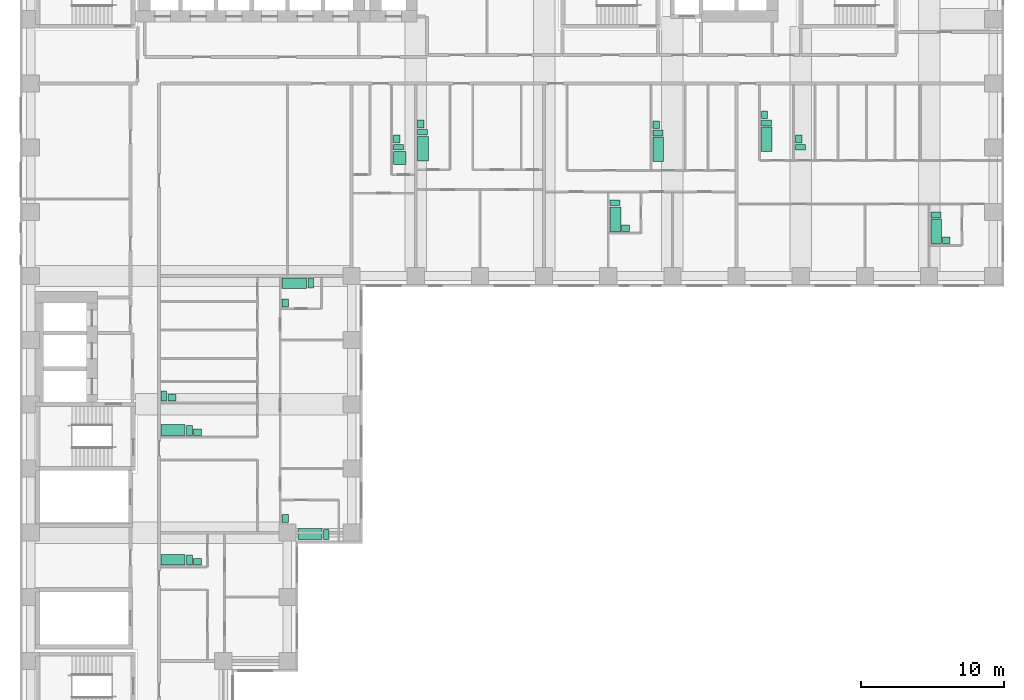
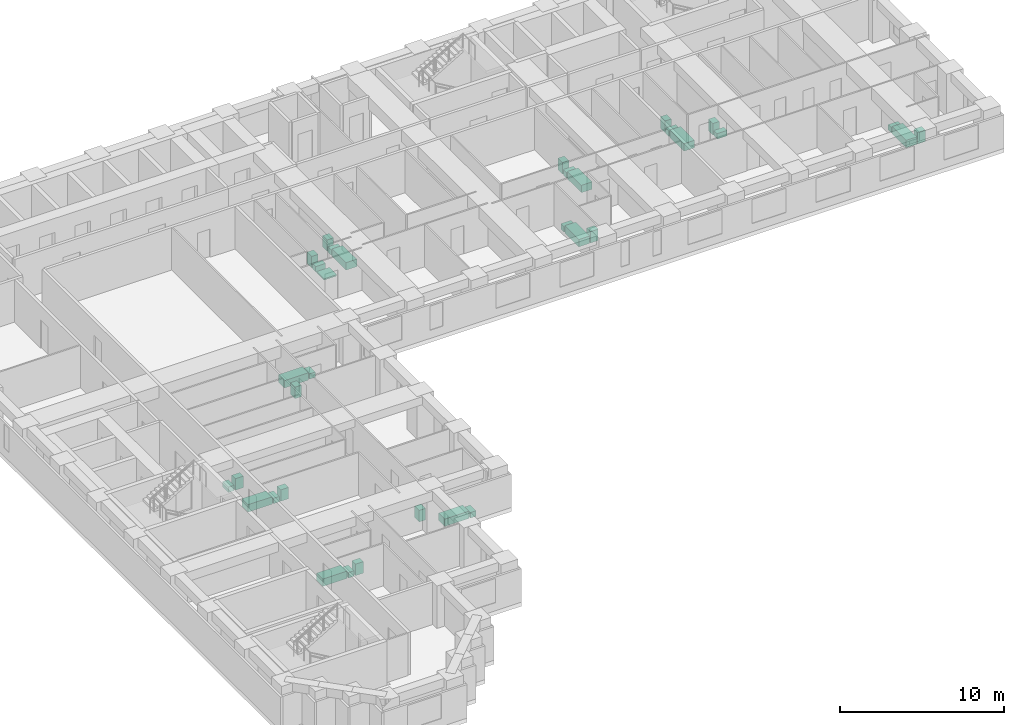
# One storey, part 13 of 13: 34 sanitary terminals.
"""IFC4 building model written with IfcOpenShell, lengths in metres."""

from ifc_helpers import new_model, si_unit, direction, frame, origin, origin_2d, place, context, subcontext, project, spatial, rectangle, extrude, material, type_object, element, save


model = new_model("IFC4")

# Units and contexts
model_context = context("Model", 3, precision=1e-05, world=origin(), true_north=direction((0.0, 1.0)))
body_context = subcontext(model_context, "Body", "Model", "MODEL_VIEW")
ifc_project = project(units=[si_unit("LENGTHUNIT", "METRE"), si_unit("AREAUNIT", "SQUARE_METRE"), si_unit("VOLUMEUNIT", "CUBIC_METRE"), si_unit("PLANEANGLEUNIT", "RADIAN"), si_unit("MASSUNIT", "GRAM", prefix="KILO")], contexts=[model_context])

# Site, building, storey
site_placement = place(None, origin())
site = spatial("IfcSite", under=ifc_project, at=site_placement, CompositionType="ELEMENT")
building_placement = place(site_placement, origin())
building = spatial("IfcBuilding", under=site, at=building_placement, Name="Firuza Court", CompositionType="ELEMENT")
storey_placement = place(building_placement, frame((0.0, 0.0, 104.60009765625)))
storey = spatial("IfcBuildingStorey", under=building, at=storey_placement, Name="L26", CompositionType="ELEMENT", Elevation=104.60009765625)

# Sanitary terminals
ifc_material_1 = material(Name="Vitreous china", Category="ceramic")
sanitary_terminal_type_1 = type_object("IfcSanitaryTerminalType", Name="Fixture Bath", PredefinedType="BATH", material=ifc_material_1)
for number, where, z_axis, x_axis, name in (
    (1, (27.5048828125, 44.929931640625, 0.0), (0.0, 0.0, 1.0), (1.0, 0.0, 0.0), "Bath"),
    (2, (44.0048828125, 44.8798828125, 0.0), (0.0, 0.0, 1.0), (1.0, 0.0, 0.0), "Bath"),
    (3, (41.0048828125, 39.97998046875, 0.0), (0.0, 0.0, 1.0), (1.0, 0.0, 0.0), "Bath"),
    (4, (51.60498046875, 45.580078125, 0.0), (0.0, 0.0, 1.0), (1.0, 0.0, 0.0), "Bath"),
    (5, (63.5048828125, 39.1298828125, 0.0), (0.0, 0.0, 1.0), (1.0, 0.0, 0.0), "Bath"),
):
    element("IfcSanitaryTerminal", number, at=place(storey_placement, frame(where, z_axis=z_axis, x_axis=x_axis)), inside=storey, type_object=sanitary_terminal_type_1, Name=name, PredefinedType="BATH", context=body_context, shape_type="SweptSolid", body=[
        extrude(rectangle(XDim=0.75, YDim=1.699951171875, at=origin_2d()), origin(), (0.0, 0.0, 1.0), 0.550048828125),
    ])
for number, where, z_axis, x_axis, name in (
    (6, (9.97998046875, 25.205078125, 0.0), (0.0, 0.0, 1.0), (1.0, 0.0, 0.0), "Bath"),
    (7, (19.580078125, 17.905029296875, 0.0), (0.0, 0.0, 1.0), (1.0, 0.0, 0.0), "Bath"),
    (8, (18.47998046875, 35.4951171875, 0.0), (0.0, 0.0, 1.0), (1.0, 0.0, 0.0), "Bath"),
    (9, (9.97998046875, 16.10498046875, 0.0), (0.0, 0.0, 1.0), (1.0, 0.0, 0.0), "Bath"),
):
    element("IfcSanitaryTerminal", number, at=place(storey_placement, frame(where, z_axis=z_axis, x_axis=x_axis)), inside=storey, type_object=sanitary_terminal_type_1, Name=name, PredefinedType="BATH", context=body_context, shape_type="SweptSolid", body=[
        extrude(rectangle(XDim=1.699951171875, YDim=0.75, at=origin_2d()), origin(), (0.0, 0.0, 1.0), 0.550048828125),
    ])
ifc_material_2 = material(Name="Vitreous china", Category="ceramic")
sanitary_terminal_type_2 = type_object("IfcSanitaryTerminalType", Name="Fixture Shower tray", PredefinedType="SHOWER", material=ifc_material_2)
sanitary_terminal_1_placement = place(storey_placement, frame((25.8798828125, 44.280029296875, -0.000244140625), z_axis=(0.0, 0.0, 1.0), x_axis=(1.0, 0.0, 0.0)))
element("IfcSanitaryTerminal", 10, at=sanitary_terminal_1_placement, inside=storey, type_object=sanitary_terminal_type_2, Name="Shower tray", PredefinedType="SHOWER", context=body_context, shape_type="SweptSolid", body=[
    extrude(rectangle(XDim=0.89990234375, YDim=0.89990234375, at=origin_2d()), origin(), (0.0, 0.0, 1.0), 0.10009765625),
])
ifc_material_3 = material(Name="Vitreous china", Category="ceramic")
sanitary_terminal_type_3 = type_object("IfcSanitaryTerminalType", Name="Fixture WC pan", PredefinedType="TOILETPAN", material=ifc_material_3)
for number, where, z_axis, x_axis, name in (
    (11, (25.780029296875, 45.030029296875, 0.0), (0.0, 0.0, 1.0), (1.0, 0.0, 0.0), "WC pan"),
    (12, (27.47998046875, 46.080078125, 0.0), (0.0, 0.0, 1.0), (1.0, 0.0, 0.0), "WC pan"),
    (13, (43.97998046875, 46.030029296875, 0.0), (0.0, 0.0, 1.0), (1.0, 0.0, 0.0), "WC pan"),
    (14, (40.97998046875, 41.1298828125, 0.0), (0.0, 0.0, 1.0), (1.0, 0.0, 0.0), "WC pan"),
    (15, (51.580078125, 46.72998046875, 0.0), (0.0, 0.0, 1.0), (1.0, 0.0, 0.0), "WC pan"),
    (16, (53.97998046875, 45.030029296875, 0.0), (0.0, 0.0, 1.0), (1.0, 0.0, 0.0), "WC pan"),
    (17, (63.47998046875, 40.280029296875, 0.0), (0.0, 0.0, 1.0), (1.0, 0.0, 0.0), "WC pan"),
):
    element("IfcSanitaryTerminal", number, at=place(storey_placement, frame(where, z_axis=z_axis, x_axis=x_axis)), inside=storey, type_object=sanitary_terminal_type_3, Name=name, PredefinedType="TOILETPAN", context=body_context, shape_type="SweptSolid", body=[
        extrude(rectangle(XDim=0.699951171875, YDim=0.39990234375, at=origin_2d()), origin(), (0.0, 0.0, 1.0), 0.39990234375),
    ])
for number, where, z_axis, x_axis, name in (
    (18, (11.1298828125, 25.179931640625, 0.0), (0.0, 0.0, 1.0), (1.0, 0.0, 0.0), "WC pan"),
    (19, (9.330078125, 27.580078125, 0.0), (0.0, 0.0, 1.0), (1.0, 0.0, 0.0), "WC pan"),
    (20, (20.72998046875, 17.8798828125, 0.0), (0.0, 0.0, 1.0), (1.0, 0.0, 0.0), "WC pan"),
    (21, (19.6298828125, 35.52001953125, 0.0), (0.0, 0.0, 1.0), (1.0, 0.0, 0.0), "WC pan"),
    (22, (11.1298828125, 16.080078125, 0.0), (0.0, 0.0, 1.0), (1.0, 0.0, 0.0), "WC pan"),
):
    element("IfcSanitaryTerminal", number, at=place(storey_placement, frame(where, z_axis=z_axis, x_axis=x_axis)), inside=storey, type_object=sanitary_terminal_type_3, Name=name, PredefinedType="TOILETPAN", context=body_context, shape_type="SweptSolid", body=[
        extrude(rectangle(XDim=0.39990234375, YDim=0.699951171875, at=origin_2d()), origin(), (0.0, 0.0, 1.0), 0.39990234375),
    ])
ifc_material_4 = material(Name="Vitreous china", Category="ceramic")
sanitary_terminal_type_4 = type_object("IfcSanitaryTerminalType", Name="Fixture Washbasin", PredefinedType="WASHHANDBASIN", material=ifc_material_4)
for number, where, z_axis, x_axis, name in (
    (23, (25.655029296875, 45.60498046875, -0.000244140625), (0.0, 0.0, 1.0), (1.0, 0.0, 0.0), "Washbasin"),
    (24, (27.35498046875, 46.655029296875, -0.000244140625), (0.0, 0.0, 1.0), (1.0, 0.0, 0.0), "Washbasin"),
    (25, (43.85498046875, 46.60498046875, -0.000244140625), (0.0, 0.0, 1.0), (1.0, 0.0, 0.0), "Washbasin"),
):
    element("IfcSanitaryTerminal", number, at=place(storey_placement, frame(where, z_axis=z_axis, x_axis=x_axis)), inside=storey, type_object=sanitary_terminal_type_4, Name=name, PredefinedType="WASHHANDBASIN", context=body_context, shape_type="SweptSolid", body=[
        extrude(rectangle(XDim=0.449951171875, YDim=0.550048828125, at=origin_2d()), origin(), (0.0, 0.0, 1.0), 0.85009765625),
    ])
sanitary_terminal_2_placement = place(storey_placement, frame((41.705078125, 39.35498046875, -0.000244140625), z_axis=(0.0, 0.0, 1.0), x_axis=(1.0, 0.0, 0.0)))
element("IfcSanitaryTerminal", 26, at=sanitary_terminal_2_placement, inside=storey, type_object=sanitary_terminal_type_4, Name="Washbasin", PredefinedType="WASHHANDBASIN", context=body_context, shape_type="SweptSolid", body=[
    extrude(rectangle(XDim=0.550048828125, YDim=0.449951171875, at=origin_2d()), origin(), (0.0, 0.0, 1.0), 0.85009765625),
])
for number, where, z_axis, x_axis, name in (
    (27, (51.455078125, 47.304931640625, -0.000244140625), (0.0, 0.0, 1.0), (1.0, 0.0, 0.0), "Washbasin"),
    (28, (53.85498046875, 45.60498046875, -0.000244140625), (0.0, 0.0, 1.0), (1.0, 0.0, 0.0), "Washbasin"),
):
    element("IfcSanitaryTerminal", number, at=place(storey_placement, frame(where, z_axis=z_axis, x_axis=x_axis)), inside=storey, type_object=sanitary_terminal_type_4, Name=name, PredefinedType="WASHHANDBASIN", context=body_context, shape_type="SweptSolid", body=[
        extrude(rectangle(XDim=0.449951171875, YDim=0.550048828125, at=origin_2d()), origin(), (0.0, 0.0, 1.0), 0.85009765625),
    ])
for number, where, z_axis, x_axis, name in (
    (29, (64.205078125, 38.5048828125, -0.000244140625), (0.0, 0.0, 1.0), (1.0, 0.0, 0.0), "Washbasin"),
    (30, (11.705078125, 25.054931640625, -0.000244140625), (0.0, 0.0, 1.0), (1.0, 0.0, 0.0), "Washbasin"),
    (31, (9.905029296875, 27.455078125, -0.000244140625), (0.0, 0.0, 1.0), (1.0, 0.0, 0.0), "Washbasin"),
):
    element("IfcSanitaryTerminal", number, at=place(storey_placement, frame(where, z_axis=z_axis, x_axis=x_axis)), inside=storey, type_object=sanitary_terminal_type_4, Name=name, PredefinedType="WASHHANDBASIN", context=body_context, shape_type="SweptSolid", body=[
        extrude(rectangle(XDim=0.550048828125, YDim=0.449951171875, at=origin_2d()), origin(), (0.0, 0.0, 1.0), 0.85009765625),
    ])
for number, where, z_axis, x_axis, name in (
    (32, (17.85498046875, 19.0048828125, -0.000244140625), (0.0, 0.0, 1.0), (1.0, 0.0, 0.0), "Washbasin"),
    (33, (17.85498046875, 34.10498046875, -0.000244140625), (0.0, 0.0, 1.0), (1.0, 0.0, 0.0), "Washbasin"),
):
    element("IfcSanitaryTerminal", number, at=place(storey_placement, frame(where, z_axis=z_axis, x_axis=x_axis)), inside=storey, type_object=sanitary_terminal_type_4, Name=name, PredefinedType="WASHHANDBASIN", context=body_context, shape_type="SweptSolid", body=[
        extrude(rectangle(XDim=0.449951171875, YDim=0.550048828125, at=origin_2d()), origin(), (0.0, 0.0, 1.0), 0.85009765625),
    ])
sanitary_terminal_3_placement = place(storey_placement, frame((11.705078125, 15.955078125, -0.000244140625), z_axis=(0.0, 0.0, 1.0), x_axis=(1.0, 0.0, 0.0)))
element("IfcSanitaryTerminal", 34, at=sanitary_terminal_3_placement, inside=storey, type_object=sanitary_terminal_type_4, Name="Washbasin", PredefinedType="WASHHANDBASIN", context=body_context, shape_type="SweptSolid", body=[
    extrude(rectangle(XDim=0.550048828125, YDim=0.449951171875, at=origin_2d()), origin(), (0.0, 0.0, 1.0), 0.85009765625),
])

save(model, "model.ifc")
